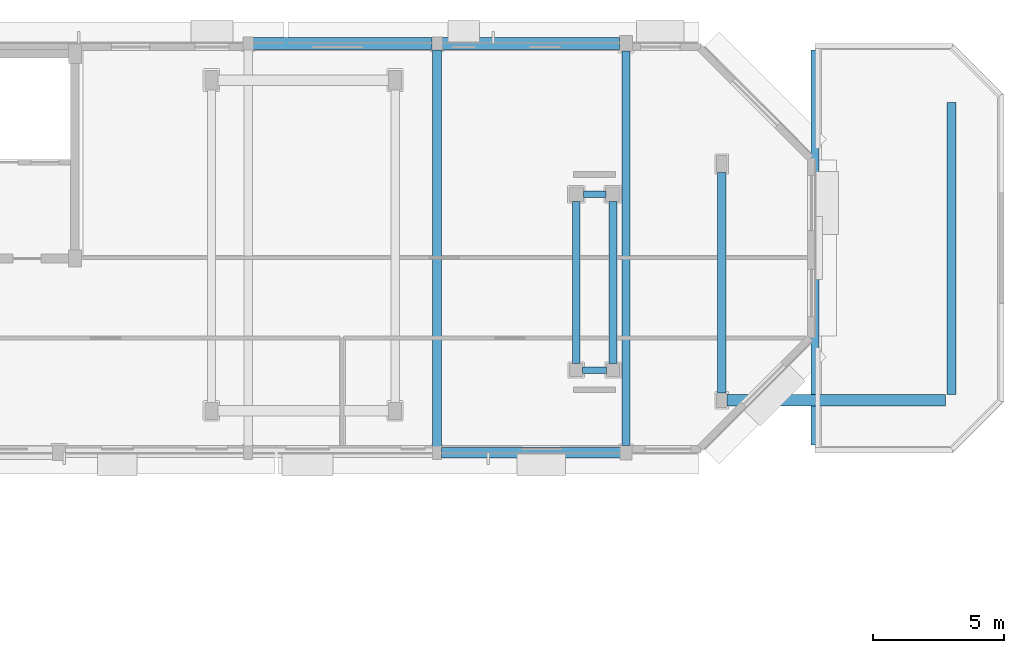
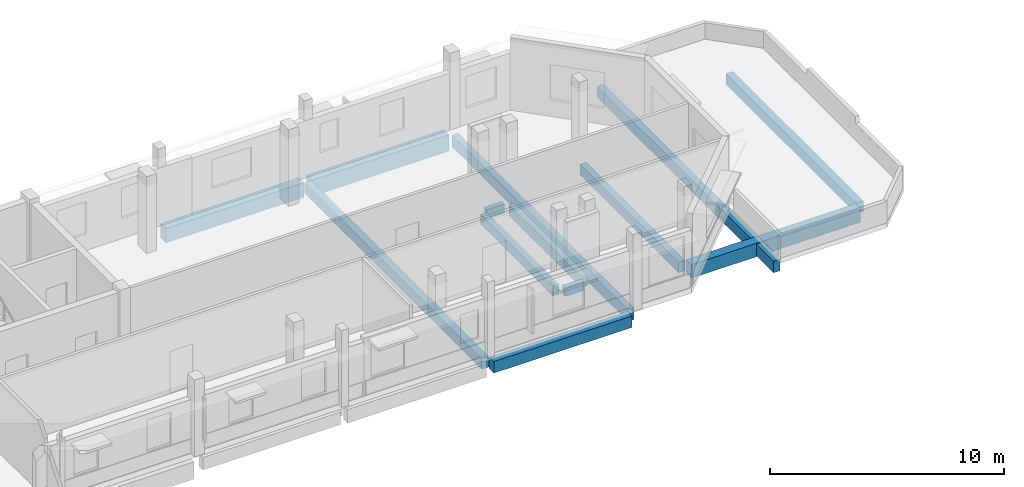
# One storey, part 51 of 105: 13 beams.
"""IFC4 building model written with IfcOpenShell, lengths in metres."""

from ifc_helpers import new_model, si_unit, direction, frame, origin, origin_2d, place, context, subcontext, project, spatial, rectangle, extrude, material, material_profile, profile_set, type_object, element, save


model = new_model("IFC4")

# Units and contexts
model_context = context("Model", 3, precision=1e-05, world=origin(), true_north=direction((0.0, 1.0)))
body_context = subcontext(model_context, "Body", "Model", "MODEL_VIEW")
ifc_project = project(units=[si_unit("LENGTHUNIT", "METRE"), si_unit("AREAUNIT", "SQUARE_METRE"), si_unit("VOLUMEUNIT", "CUBIC_METRE"), si_unit("PLANEANGLEUNIT", "RADIAN"), si_unit("MASSUNIT", "GRAM", prefix="KILO")], contexts=[model_context])

# Site, building, storey
site_placement = place(None, origin())
site = spatial("IfcSite", under=ifc_project, at=site_placement, CompositionType="ELEMENT")
building_placement = place(site_placement, origin())
building = spatial("IfcBuilding", under=site, at=building_placement, Name="Kelanivale Promenade Academy", CompositionType="ELEMENT")
storey_placement = place(building_placement, frame((0.0, 0.0, 4.199951171875)))
storey = spatial("IfcBuildingStorey", under=building, at=storey_placement, Name="L01", CompositionType="ELEMENT", Elevation=4.199951171875)

# Beams
ifc_material = material(Name="Concrete C35/45", Category="concrete")
ifc_material_profile_1 = material_profile(ifc_material, rectangle(XDim=0.449951171875, YDim=0.699951171875, at=origin_2d()), Name="RC-BM 450x700")
ifc_profile_set_1 = profile_set([ifc_material_profile_1], Name="Concrete C35/45")
beam_type_1 = type_object("IfcBeamType", Name="BM-03 RC-BM 450x700", PredefinedType="BEAM", material=ifc_profile_set_1)
beam_1_placement = place(storey_placement, frame((155.445068359375, 98.39990234375, -0.58984375), z_axis=(1.0, 0.0, 0.0), x_axis=(0.0, 1.0, 0.0)))
element("IfcBeam", 1, at=beam_1_placement, inside=storey, type_object=beam_type_1, Name="L01 girder BM-03", PredefinedType="BEAM", context=body_context, shape_type="SweptSolid", body=[
    extrude(rectangle(XDim=0.449951171875, YDim=0.699951171875, at=origin_2d()), origin(), (0.0, 0.0, 1.0), 8.3349609375),
])
ifc_material_profile_2 = material_profile(ifc_material, rectangle(XDim=0.449951171875, YDim=0.75, at=origin_2d()), Name="RC-BM 450x750")
ifc_profile_set_2 = profile_set([ifc_material_profile_2], Name="Concrete C35/45")
beam_type_2 = type_object("IfcBeamType", Name="BM-04 RC-BM 450x750", PredefinedType="BEAM", material=ifc_profile_set_2)
beam_2_placement = place(storey_placement, frame((137.39501953125, 112.0, -0.655029296875), z_axis=(1.0, 0.0, 0.0), x_axis=(0.0, 1.0, 0.0)))
element("IfcBeam", 2, at=beam_2_placement, inside=storey, type_object=beam_type_2, Name="L01 girder BM-04", PredefinedType="BEAM", context=body_context, shape_type="SweptSolid", body=[
    extrude(rectangle(XDim=0.449951171875, YDim=0.75, at=origin_2d()), origin(), (0.0, 0.0, 1.0), 6.81005859375),
])
ifc_material_profile_3 = material_profile(ifc_material, rectangle(XDim=0.449951171875, YDim=0.85009765625, at=origin_2d()), Name="RC-BM 450x850")
ifc_profile_set_3 = profile_set([ifc_material_profile_3], Name="Concrete C35/45")
beam_type_3 = type_object("IfcBeamType", Name="BM-05 RC-BM 450x850", PredefinedType="BEAM", material=ifc_profile_set_3)
beam_3_placement = place(storey_placement, frame((144.594970703125, 112.0, -0.704833984375), z_axis=(1.0, 0.0, 0.0), x_axis=(0.0, 1.0, 0.0)))
element("IfcBeam", 3, at=beam_3_placement, inside=storey, type_object=beam_type_3, Name="L01 girder BM-05", PredefinedType="BEAM", context=body_context, shape_type="SweptSolid", body=[
    extrude(rectangle(XDim=0.449951171875, YDim=0.85009765625, at=origin_2d()), origin(), (0.0, 0.0, 1.0), 6.760009765625),
])
ifc_material_profile_4 = material_profile(ifc_material, rectangle(XDim=0.39990234375, YDim=0.60009765625, at=origin_2d()), Name="RC-BM 400x600")
ifc_profile_set_4 = profile_set([ifc_material_profile_4], Name="Concrete C35/45")
beam_type_4 = type_object("IfcBeamType", Name="BM-12 RC-BM 400x600", PredefinedType="BEAM", material=ifc_profile_set_4)
beam_4_placement = place(storey_placement, frame((144.570068359375, 96.39990234375, -0.579833984375), z_axis=(1.0, 0.0, 0.0), x_axis=(0.0, 1.0, 0.0)))
element("IfcBeam", 4, at=beam_4_placement, inside=storey, type_object=beam_type_4, Name="L01 girder BM-12", PredefinedType="BEAM", context=body_context, shape_type="SweptSolid", body=[
    extrude(rectangle(XDim=0.39990234375, YDim=0.60009765625, at=origin_2d()), origin(), (0.0, 0.0, 1.0), 6.809814453125),
])
ifc_material_profile_5 = material_profile(ifc_material, rectangle(XDim=0.300048828125, YDim=0.5, at=origin_2d()), Name="RC-BM 300x500")
ifc_profile_set_5 = profile_set([ifc_material_profile_5], Name="Concrete C35/45")
beam_type_5 = type_object("IfcBeamType", Name="JS-01 RC-BM 300x500", PredefinedType="JOIST", material=ifc_profile_set_5)
beam_5_placement = place(storey_placement, frame((149.699951171875, 99.794921875, -0.530029296875), z_axis=(0.0, 1.0, 0.0), x_axis=(-1.0, 0.0, 0.0)))
element("IfcBeam", 5, at=beam_5_placement, inside=storey, type_object=beam_type_5, Name="L01 beam JS-01", PredefinedType="JOIST", context=body_context, shape_type="SweptSolid", body=[
    extrude(rectangle(XDim=0.300048828125, YDim=0.5, at=origin_2d()), origin(), (0.0, 0.0, 1.0), 6.18505859375),
])
ifc_material_profile_6 = material_profile(ifc_material, rectangle(XDim=0.300048828125, YDim=0.550048828125, at=origin_2d()), Name="RC-BM 300x550")
ifc_profile_set_6 = profile_set([ifc_material_profile_6], Name="Concrete C35/45")
beam_type_6 = type_object("IfcBeamType", Name="JS-02 RC-BM 300x550", PredefinedType="JOIST", material=ifc_profile_set_6)
beam_6_placement = place(storey_placement, frame((151.10009765625, 99.794921875, -0.554931640625), z_axis=(0.0, 1.0, 0.0), x_axis=(-1.0, 0.0, 0.0)))
element("IfcBeam", 6, at=beam_6_placement, inside=storey, type_object=beam_type_6, Name="L01 beam JS-02", PredefinedType="JOIST", context=body_context, shape_type="SweptSolid", body=[
    extrude(rectangle(XDim=0.300048828125, YDim=0.550048828125, at=origin_2d()), origin(), (0.0, 0.0, 1.0), 6.18505859375),
])
ifc_material_profile_7 = material_profile(ifc_material, rectangle(XDim=0.300048828125, YDim=0.60009765625, at=origin_2d()), Name="RC-BM 300x600")
ifc_profile_set_7 = profile_set([ifc_material_profile_7], Name="Concrete C35/45")
beam_type_7 = type_object("IfcBeamType", Name="JS-03 RC-BM 300x600", PredefinedType="JOIST", material=ifc_profile_set_7)
beam_7_placement = place(storey_placement, frame((151.60009765625, 96.669921875, -0.579833984375), z_axis=(0.0, 1.0, 0.0), x_axis=(-1.0, 0.0, 0.0)))
element("IfcBeam", 7, at=beam_7_placement, inside=storey, type_object=beam_type_7, Name="L01 beam JS-03", PredefinedType="JOIST", context=body_context, shape_type="SweptSolid", body=[
    extrude(rectangle(XDim=0.300048828125, YDim=0.60009765625, at=origin_2d()), origin(), (0.0, 0.0, 1.0), 15.03515625),
])
ifc_material_profile_8 = material_profile(ifc_material, rectangle(XDim=0.320068359375, YDim=0.550048828125, at=origin_2d()), Name="RC-BM 320x550")
ifc_profile_set_8 = profile_set([ifc_material_profile_8], Name="Concrete C35/45")
beam_type_8 = type_object("IfcBeamType", Name="JS-04 RC-BM 320x550", PredefinedType="JOIST", material=ifc_profile_set_8)
beam_8_placement = place(storey_placement, frame((155.25, 98.669921875, -0.554931640625), z_axis=(0.0, 1.0, 0.0), x_axis=(-1.0, 0.0, 0.0)))
element("IfcBeam", 8, at=beam_8_placement, inside=storey, type_object=beam_type_8, Name="L01 beam JS-04", PredefinedType="JOIST", context=body_context, shape_type="SweptSolid", body=[
    extrude(rectangle(XDim=0.320068359375, YDim=0.550048828125, at=origin_2d()), origin(), (0.0, 0.0, 1.0), 8.41015625),
])
ifc_material_profile_9 = material_profile(ifc_material, rectangle(XDim=0.320068359375, YDim=0.60009765625, at=origin_2d()), Name="RC-BM 320x600")
ifc_profile_set_9 = profile_set([ifc_material_profile_9], Name="Concrete C35/45")
beam_type_9 = type_object("IfcBeamType", Name="JS-05 RC-BM 320x600", PredefinedType="JOIST", material=ifc_profile_set_9)
beam_9_placement = place(storey_placement, frame((158.800048828125, 96.695068359375, -0.579833984375), z_axis=(0.0, 1.0, 0.0), x_axis=(-1.0, 0.0, 0.0)))
element("IfcBeam", 9, at=beam_9_placement, inside=storey, type_object=beam_type_9, Name="L01 beam JS-05", PredefinedType="JOIST", context=body_context, shape_type="SweptSolid", body=[
    extrude(rectangle(XDim=0.320068359375, YDim=0.60009765625, at=origin_2d()), origin(), (0.0, 0.0, 1.0), 15.059814453125),
])
ifc_material_profile_10 = material_profile(ifc_material, rectangle(XDim=0.35009765625, YDim=0.550048828125, at=origin_2d()), Name="RC-BM 350x550")
ifc_profile_set_10 = profile_set([ifc_material_profile_10], Name="Concrete C35/45")
beam_type_10 = type_object("IfcBeamType", Name="JS-06 RC-BM 350x550", PredefinedType="JOIST", material=ifc_profile_set_10)
beam_10_placement = place(storey_placement, frame((144.39990234375, 96.64501953125, -0.554931640625), z_axis=(0.0, 1.0, 0.0), x_axis=(-1.0, 0.0, 0.0)))
element("IfcBeam", 10, at=beam_10_placement, inside=storey, type_object=beam_type_10, Name="L01 beam JS-06", PredefinedType="JOIST", context=body_context, shape_type="SweptSolid", body=[
    extrude(rectangle(XDim=0.35009765625, YDim=0.550048828125, at=origin_2d()), origin(), (0.0, 0.0, 1.0), 15.10986328125),
])
beam_11_placement = place(storey_placement, frame((164.0, 98.6201171875, -0.514892578125), z_axis=(0.0, 1.0, 0.0), x_axis=(-1.0, 0.0, 0.0)))
element("IfcBeam", 11, at=beam_11_placement, inside=storey, type_object=beam_type_10, Name="L01 beam JS-06", PredefinedType="JOIST", context=body_context, shape_type="SweptSolid", body=[
    extrude(rectangle(XDim=0.35009765625, YDim=0.550048828125, at=origin_2d()), origin(), (0.0, 0.0, 1.0), 11.134765625),
])
ifc_material_profile_11 = material_profile(ifc_material, rectangle(XDim=0.25, YDim=0.449951171875, at=origin_2d()), Name="RC-BM 250x450")
ifc_profile_set_11 = profile_set([ifc_material_profile_11], Name="Concrete C35/45")
beam_type_11 = type_object("IfcBeamType", Name="LN-01 RC-BM 250x450", PredefinedType="LINTEL", material=ifc_profile_set_11)
beam_12_placement = place(storey_placement, frame((149.945068359375, 99.550048828125, -0.5048828125), z_axis=(1.0, 0.0, 0.0), x_axis=(0.0, 1.0, 0.0)))
element("IfcBeam", 12, at=beam_12_placement, inside=storey, type_object=beam_type_11, Name="L01 girder LN-01", PredefinedType="LINTEL", context=body_context, shape_type="SweptSolid", body=[
    extrude(rectangle(XDim=0.25, YDim=0.449951171875, at=origin_2d()), origin(), (0.0, 0.0, 1.0), 0.909912109375),
])
beam_13_placement = place(storey_placement, frame((149.969970703125, 106.25, -0.5048828125), z_axis=(1.0, 0.0, 0.0), x_axis=(0.0, 1.0, 0.0)))
element("IfcBeam", 13, at=beam_13_placement, inside=storey, type_object=beam_type_11, Name="L01 girder LN-01", PredefinedType="LINTEL", context=body_context, shape_type="SweptSolid", body=[
    extrude(rectangle(XDim=0.25, YDim=0.449951171875, at=origin_2d()), origin(), (0.0, 0.0, 1.0), 0.860107421875),
])

save(model, "model.ifc")
